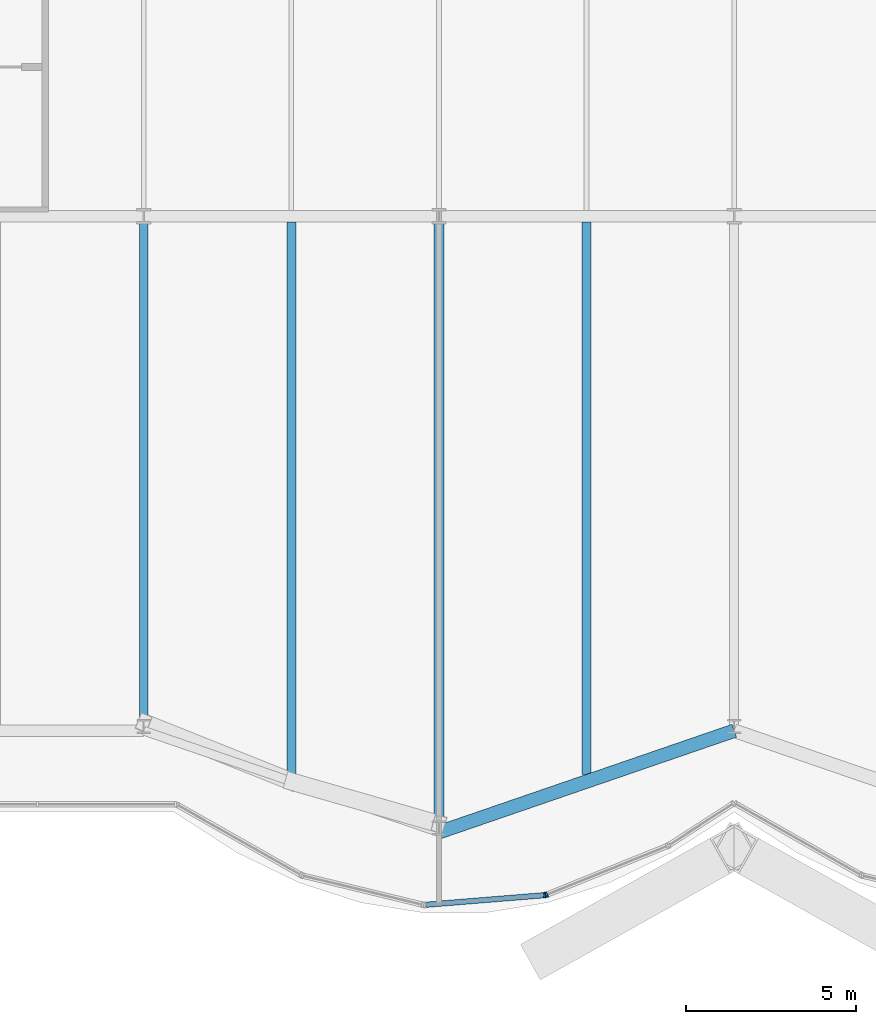
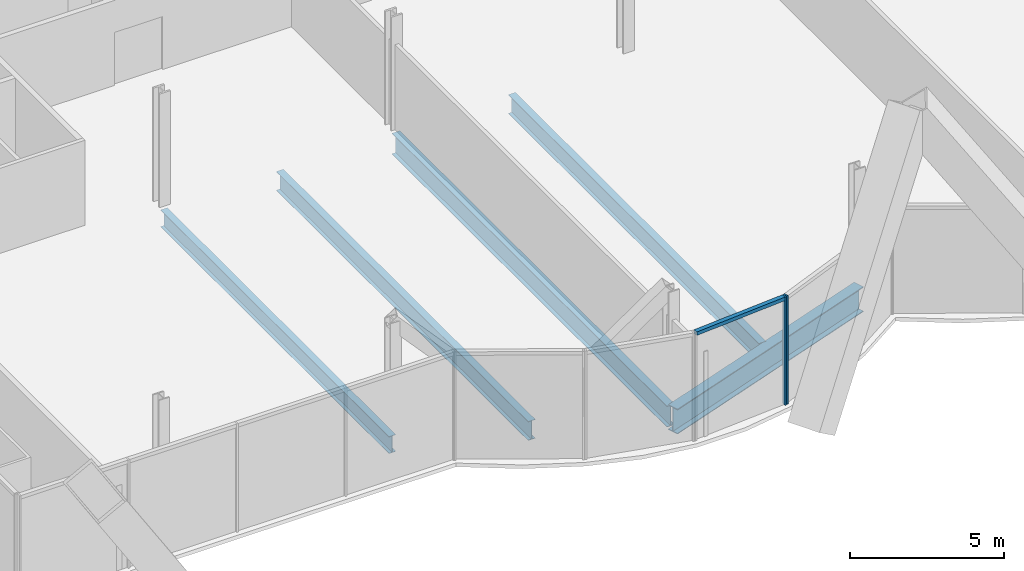
# One storey, part 5 of 21: 5 beams, 3 members, 1 element without a shape of its own.
"""IFC4 building model written with IfcOpenShell, lengths in metres."""

from ifc_helpers import new_model, si_unit, direction, frame, origin, origin_2d, place, context, subcontext, project, spatial, rectangle, i_section, extrude, material, material_profile, profile_set, type_object, element, aggregate, save


model = new_model("IFC4")

# Units and contexts
model_context = context("Model", 3, precision=1e-05, world=origin(), true_north=direction((0.0, 1.0)))
body_context = subcontext(model_context, "Body", "Model", "MODEL_VIEW")
ifc_project = project(units=[si_unit("LENGTHUNIT", "METRE"), si_unit("AREAUNIT", "SQUARE_METRE"), si_unit("VOLUMEUNIT", "CUBIC_METRE"), si_unit("PLANEANGLEUNIT", "RADIAN"), si_unit("MASSUNIT", "GRAM", prefix="KILO")], contexts=[model_context])

# Site, building, storey
site_placement = place(None, origin())
site = spatial("IfcSite", under=ifc_project, at=site_placement, CompositionType="ELEMENT")
building_placement = place(site_placement, origin())
building = spatial("IfcBuilding", under=site, at=building_placement, Name="Bicima Exchange Tower", CompositionType="ELEMENT")
storey_placement = place(building_placement, frame((0.0, 0.0, 80.0)))
storey = spatial("IfcBuildingStorey", under=building, at=storey_placement, Name="L16", CompositionType="ELEMENT", Elevation=80.0)

# Beams
ifc_material_1 = material(Name="Steel ASTM A992 Gr 50", Category="steel")
ifc_material_profile_1 = material_profile(ifc_material_1, i_section(OverallWidth=0.25390625, OverallDepth=0.67822265625, WebThickness=0.01171875, FlangeThickness=0.016357421875, at=origin_2d()))
ifc_profile_set_1 = profile_set([ifc_material_profile_1], Name="Steel ASTM A992 Gr 50")
beam_type_1 = type_object("IfcBeamType", Name="Floor beam W27x84", PredefinedType="JOIST", material=ifc_profile_set_1)
beam_1_placement = place(storey_placement, frame((-17.39990234375, -22.16259765625, -0.489013671875), z_axis=(0.0, -1.0, 0.0), x_axis=(1.0, 0.0, 0.0)))
element("IfcBeam", 1, at=beam_1_placement, inside=storey, type_object=beam_type_1, Name="Floor beam", PredefinedType="JOIST", context=body_context, shape_type="SweptSolid", body=[
    extrude(i_section(OverallWidth=0.25390625, OverallDepth=0.67822265625, WebThickness=0.01171875, FlangeThickness=0.016357421875, at=origin_2d()), origin(), (0.0, 0.0, 1.0), 14.834716796875),
])
ifc_material_profile_2 = material_profile(ifc_material_1, i_section(OverallWidth=0.2666015625, OverallDepth=0.75439453125, WebThickness=0.01318359375, FlangeThickness=0.01708984375, at=origin_2d()))
ifc_profile_set_2 = profile_set([ifc_material_profile_2], Name="Steel ASTM A992 Gr 50")
beam_type_2 = type_object("IfcBeamType", Name="Floor beam W30x99", PredefinedType="JOIST", material=ifc_profile_set_2)
beam_2_placement = place(storey_placement, frame((-13.050048828125, -22.16259765625, -0.527099609375), z_axis=(0.0, -1.0, 0.0), x_axis=(1.0, 0.0, 0.0)))
element("IfcBeam", 2, at=beam_2_placement, inside=storey, type_object=beam_type_2, Name="Floor beam", PredefinedType="JOIST", context=body_context, shape_type="SweptSolid", body=[
    extrude(i_section(OverallWidth=0.2666015625, OverallDepth=0.75439453125, WebThickness=0.01318359375, FlangeThickness=0.01708984375, at=origin_2d()), origin(), (0.0, 0.0, 1.0), 16.357421875),
])
beam_3_placement = place(storey_placement, frame((-4.35009765625, -22.16259765625, -0.527099609375), z_axis=(0.0, -1.0, 0.0), x_axis=(1.0, 0.0, 0.0)))
element("IfcBeam", 3, at=beam_3_placement, inside=storey, type_object=beam_type_2, Name="Floor beam", PredefinedType="JOIST", context=body_context, shape_type="SweptSolid", body=[
    extrude(i_section(OverallWidth=0.2666015625, OverallDepth=0.75439453125, WebThickness=0.01318359375, FlangeThickness=0.01708984375, at=origin_2d()), origin(), (0.0, 0.0, 1.0), 16.28076171875),
])
ifc_material_profile_3 = material_profile(ifc_material_1, i_section(OverallWidth=0.2919921875, OverallDepth=0.835693359375, WebThickness=0.013916015625, FlangeThickness=0.018798828125, at=origin_2d()))
ifc_profile_set_3 = profile_set([ifc_material_profile_3], Name="Steel ASTM A992 Gr 50")
beam_type_3 = type_object("IfcBeamType", Name="Floor beam W33x118", PredefinedType="JOIST", material=ifc_profile_set_3)
beam_4_placement = place(storey_placement, frame((-8.699951171875, -22.16259765625, -0.56787109375), z_axis=(0.0, -1.0, 0.0), x_axis=(1.0, 0.0, 0.0)))
element("IfcBeam", 4, at=beam_4_placement, inside=storey, type_object=beam_type_3, Name="Floor beam", PredefinedType="JOIST", context=body_context, shape_type="SweptSolid", body=[
    extrude(i_section(OverallWidth=0.2919921875, OverallDepth=0.835693359375, WebThickness=0.013916015625, FlangeThickness=0.018798828125, at=origin_2d()), origin(), (0.0, 0.0, 1.0), 17.852783203125),
])
ifc_material_profile_4 = material_profile(ifc_material_1, i_section(OverallWidth=0.4013671875, OverallDepth=0.990478515625, WebThickness=0.0166015625, FlangeThickness=0.031005859375, at=origin_2d()))
ifc_profile_set_4 = profile_set([ifc_material_profile_4], Name="Steel ASTM A992 Gr 50")
beam_type_4 = type_object("IfcBeamType", Name="Front girder W40x215", PredefinedType="BEAM", material=ifc_profile_set_4)
beam_5_placement = place(storey_placement, frame((-8.699951171875, -40.151123046875, -0.645263671875), z_axis=(0.945666456746, 0.325138359143, 0.0), x_axis=(-0.325138359143, 0.945666456746, 0.0)))
element("IfcBeam", 5, at=beam_5_placement, inside=storey, type_object=beam_type_4, Name="Front girder", PredefinedType="BEAM", context=body_context, shape_type="SweptSolid", body=[
    extrude(i_section(OverallWidth=0.4013671875, OverallDepth=0.990478515625, WebThickness=0.0166015625, FlangeThickness=0.031005859375, at=origin_2d()), origin(), (0.0, 0.0, 1.0), 9.19970703125),
])

# Curtain wall, members
ifc_material_2 = material(Name="Anodised bronze aluminium", Category="aluminium")
curtain_wall_type = type_object("IfcCurtainWallType", Name="Front glass wall", PredefinedType="NOTDEFINED", material=ifc_material_2)
curtain_wall_placement = place(storey_placement, origin())
curtain_wall = element("IfcCurtainWall", 6, at=curtain_wall_placement, inside=storey, type_object=curtain_wall_type, Name="Front glass wall L16 run 6", PredefinedType="NOTDEFINED")
ifc_material_profile_5 = material_profile(ifc_material_2, rectangle(XDim=0.159912109375, YDim=0.06005859375, at=origin_2d()))
ifc_profile_set_5 = profile_set([ifc_material_profile_5], Name="Anodised bronze aluminium")
member_type_1 = type_object("IfcMemberType", Name="Front glass wall mullion 60 x 160", PredefinedType="MULLION", material=ifc_profile_set_5)
member_1_placement = place(storey_placement, frame((-5.583984375, -42.0048828125, 0.0), z_axis=(0.0, 0.0, 1.0), x_axis=(-0.080588612633, 0.99674744821, 0.0)))
member_1 = element("IfcMember", 7, at=member_1_placement, type_object=member_type_1, Name="Front glass wall mullion 2", PredefinedType="MULLION", context=body_context, shape_type="SweptSolid", body=[
    extrude(rectangle(XDim=0.159912109375, YDim=0.06005859375, at=origin_2d()), origin(), (0.0, 0.0, 1.0), 4.300048828125),
])
member_2_placement = place(storey_placement, frame((-5.526123046875, -41.9912109375, 0.0), z_axis=(0.0, 0.0, 1.0), x_axis=(-0.374705304, 0.92714396679, 0.0)))
member_2 = element("IfcMember", 8, at=member_2_placement, type_object=member_type_1, Name="Front glass wall mullion 1", PredefinedType="MULLION", context=body_context, shape_type="SweptSolid", body=[
    extrude(rectangle(XDim=0.159912109375, YDim=0.06005859375, at=origin_2d()), origin(), (0.0, 0.0, 1.0), 4.300048828125),
])
ifc_material_profile_6 = material_profile(ifc_material_2, rectangle(XDim=0.159912109375, YDim=0.139892578125, at=origin_2d()))
ifc_profile_set_6 = profile_set([ifc_material_profile_6], Name="Anodised bronze aluminium")
member_type_2 = type_object("IfcMemberType", Name="Front glass wall transom 140 x 160", PredefinedType="USERDEFINED", material=ifc_profile_set_6)
member_3_placement = place(storey_placement, frame((-9.08837890625, -42.2880859375, 4.22998046875), z_axis=(0.9967456465, 0.080610893699, 0.0), x_axis=(-0.080610893699, 0.9967456465, 0.0)))
member_3 = element("IfcMember", 9, at=member_3_placement, type_object=member_type_2, Name="Front glass wall transom 1.1", ObjectType="TRANSOM", PredefinedType="USERDEFINED", context=body_context, shape_type="SweptSolid", body=[
    extrude(rectangle(XDim=0.159912109375, YDim=0.139892578125, at=origin_2d()), origin(), (0.0, 0.0, 1.0), 3.48583984375),
])
aggregate(curtain_wall, [member_1, member_3, member_2])

save(model, "model.ifc")
